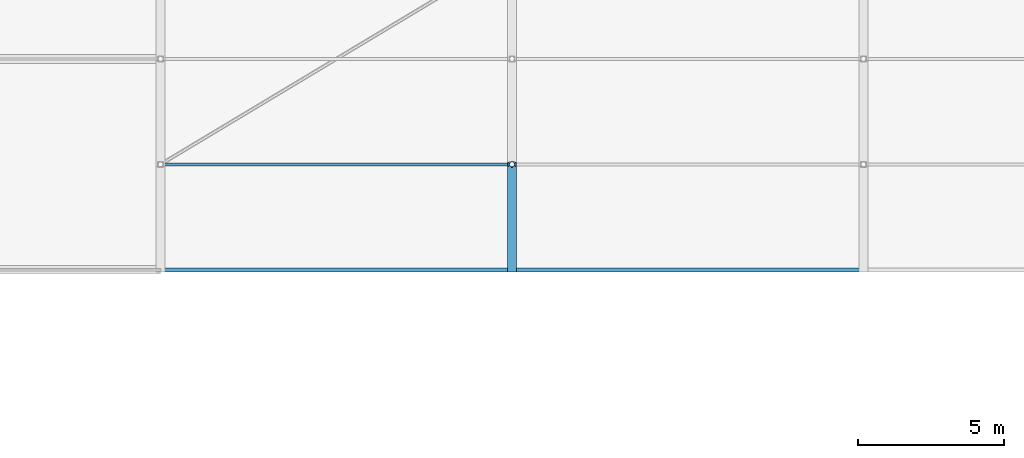
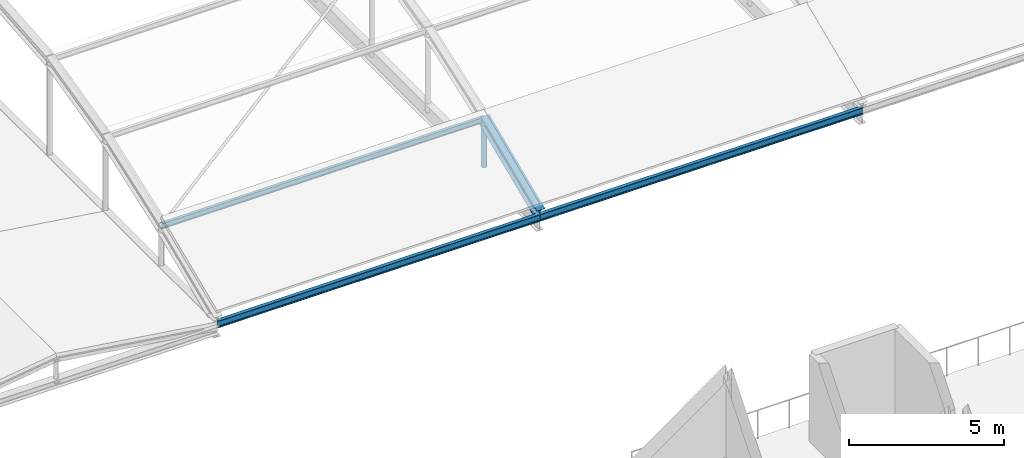
# One storey, part 49 of 239: 4 members, 1 beam.
"""IFC4 building model written with IfcOpenShell, lengths in metres."""

from ifc_helpers import new_model, si_unit, direction, frame, origin, origin_2d, place, context, subcontext, project, spatial, hollow_circle, i_section, extrude, material, material_profile, profile_set, type_object, element, save


model = new_model("IFC4")

# Units and contexts
model_context = context("Model", 3, precision=1e-05, world=origin(), true_north=direction((0.0, 1.0)))
body_context = subcontext(model_context, "Body", "Model", "MODEL_VIEW")
ifc_project = project(units=[si_unit("LENGTHUNIT", "METRE"), si_unit("AREAUNIT", "SQUARE_METRE"), si_unit("VOLUMEUNIT", "CUBIC_METRE"), si_unit("PLANEANGLEUNIT", "RADIAN"), si_unit("MASSUNIT", "GRAM", prefix="KILO")], contexts=[model_context])

# Site, building, storey
site_placement = place(None, origin())
site = spatial("IfcSite", under=ifc_project, at=site_placement, CompositionType="ELEMENT")
building_placement = place(site_placement, origin())
building = spatial("IfcBuilding", under=site, at=building_placement, Name="Dunvalen Ferry Terminal", CompositionType="ELEMENT")
storey_placement = place(building_placement, frame((0.0, 0.0, 9.840087890625)))
storey = spatial("IfcBuildingStorey", under=building, at=storey_placement, Name="L02", CompositionType="ELEMENT", Elevation=9.840087890625)

# Beam
ifc_material = material(Name="Steel S355", Category="steel")
ifc_material_profile_1 = material_profile(ifc_material, i_section(OverallWidth=0.300048828125, OverallDepth=0.389892578125, WebThickness=0.010986328125, FlangeThickness=0.01904296875, FilletRadius=0.027099609375, at=origin_2d()), Name="Steel S355")
ifc_profile_set_1 = profile_set([ifc_material_profile_1], Name="Steel S355")
beam_type = type_object("IfcBeamType", Name="STR-BM-HEA400", PredefinedType="BEAM", material=ifc_profile_set_1)
beam_placement = place(storey_placement, frame((120.0, 57.60009765625, 0.0), z_axis=(0.0, 0.920277550042, 0.391266189299), x_axis=(-1.0, 0.0, 0.0)))
element("IfcBeam", 1, at=beam_placement, inside=storey, type_object=beam_type, Name="Arrivals Hall Barrel-Vault Arch Rib 02.1", PredefinedType="BEAM", context=body_context, shape_type="SweptSolid", body=[
    extrude(i_section(OverallWidth=0.300048828125, OverallDepth=0.389892578125, WebThickness=0.010986328125, FlangeThickness=0.01904296875, FilletRadius=0.027099609375, at=origin_2d()), origin(), (0.0, 0.0, 1.0), 3.91162109375),
])

# Members
ifc_material_profile_2 = material_profile(ifc_material, hollow_circle(Radius=0.096923828125, WallThickness=0.008056640625, at=origin_2d()), Name="Steel S355")
ifc_profile_set_2 = profile_set([ifc_material_profile_2], Name="Steel S355")
member_type_1 = type_object("IfcMemberType", Name="STR-MB-CHS193", PredefinedType="STRUT", material=ifc_profile_set_2)
member_1_placement = place(storey_placement, frame((120.0, 61.199951171875, -0.340087890625), z_axis=(0.0, 0.0, 1.0), x_axis=(1.0, 0.0, 0.0)))
element("IfcMember", 2, at=member_1_placement, inside=storey, type_object=member_type_1, Name="Arrivals Hall Vault Hanger 02.1", PredefinedType="STRUT", context=body_context, shape_type="SweptSolid", body=[
    extrude(hollow_circle(Radius=0.096923828125, WallThickness=0.008056640625, at=origin_2d()), origin(), (0.0, 0.0, 1.0), 1.87060546875),
])
ifc_material_profile_3 = material_profile(ifc_material, i_section(OverallWidth=0.110107421875, OverallDepth=0.219970703125, WebThickness=0.005859375, FlangeThickness=0.00927734375, FilletRadius=0.011962890625, at=origin_2d()), Name="Steel S355")
ifc_profile_set_3 = profile_set([ifc_material_profile_3], Name="Steel S355")
member_type_2 = type_object("IfcMemberType", Name="STR-MB-IPE220", PredefinedType="PURLIN", material=ifc_profile_set_3)
member_2_placement = place(storey_placement, frame((108.0, 61.199951171875, 1.530517578125), z_axis=(1.0, 0.0, 0.0), x_axis=(0.0, 1.0, 0.0)))
element("IfcMember", 3, at=member_2_placement, inside=storey, type_object=member_type_2, Name="Arrivals Hall Barrel-Vault Purlin 1.2", PredefinedType="PURLIN", context=body_context, shape_type="SweptSolid", body=[
    extrude(i_section(OverallWidth=0.110107421875, OverallDepth=0.219970703125, WebThickness=0.005859375, FlangeThickness=0.00927734375, FilletRadius=0.011962890625, at=origin_2d()), origin(), (0.0, 0.0, 1.0), 12.0),
])
ifc_material_profile_4 = material_profile(ifc_material, i_section(OverallWidth=0.135009765625, OverallDepth=0.27001953125, WebThickness=0.006591796875, FlangeThickness=0.01025390625, FilletRadius=0.014892578125, at=origin_2d()), Name="Steel S355")
ifc_profile_set_4 = profile_set([ifc_material_profile_4], Name="Steel S355")
member_type_3 = type_object("IfcMemberType", Name="STR-MB-IPE270", PredefinedType="PURLIN", material=ifc_profile_set_4)
for number, where, z_axis, x_axis, name in (
    (4, (108.0, 57.60009765625, -0.14013671875), (1.0, 0.0, 0.0), (0.0, 1.0, 0.0), "Arrivals Hall Barrel-Vault Purlin 1.1"),
    (5, (120.0, 57.60009765625, -0.14013671875), (1.0, 0.0, 0.0), (0.0, 1.0, 0.0), "Arrivals Hall Barrel-Vault Purlin 2.1"),
):
    element("IfcMember", number, at=place(storey_placement, frame(where, z_axis=z_axis, x_axis=x_axis)), inside=storey, type_object=member_type_3, Name=name, PredefinedType="PURLIN", context=body_context, shape_type="SweptSolid", body=[
        extrude(i_section(OverallWidth=0.135009765625, OverallDepth=0.27001953125, WebThickness=0.006591796875, FlangeThickness=0.01025390625, FilletRadius=0.014892578125, at=origin_2d()), origin(), (0.0, 0.0, 1.0), 12.0),
    ])

save(model, "model.ifc")
